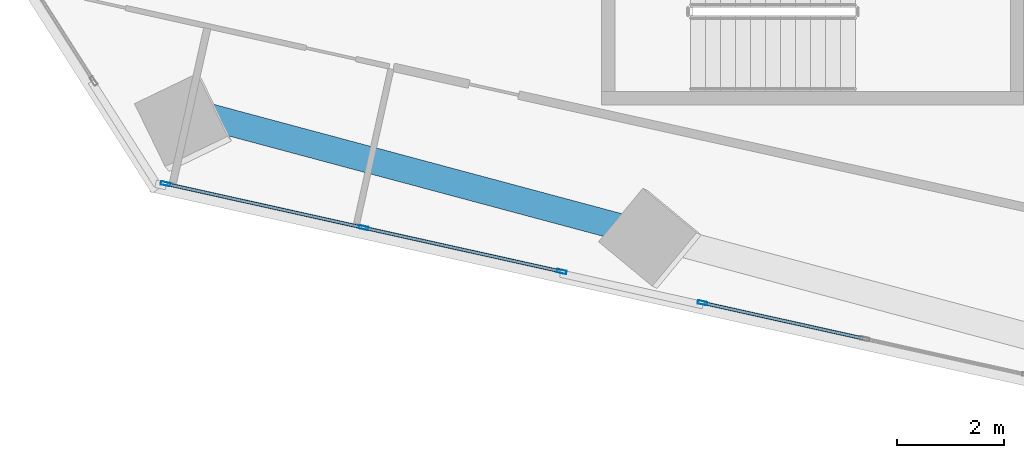
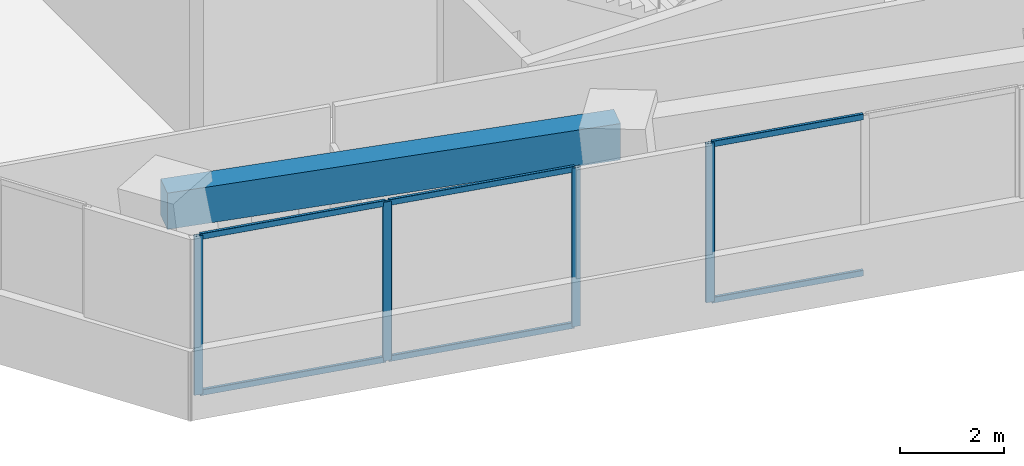
# One storey, part 2 of 26: 10 members, 1 beam, 2 elements without a shape of their own.
"""IFC4 building model written with IfcOpenShell, lengths in metres."""

from ifc_helpers import new_model, si_unit, direction, frame, origin, origin_2d, place, context, subcontext, project, spatial, rectangle, hollow_rectangle, extrude, source, transform, mapped, material, material_profile, profile_set, type_object, element, aggregate, save


model = new_model("IFC4")

# Units and contexts
model_context = context("Model", 3, precision=1e-05, world=origin(), true_north=direction((0.0, 1.0)))
body_context = subcontext(model_context, "Body", "Model", "MODEL_VIEW")
ifc_project = project(units=[si_unit("LENGTHUNIT", "METRE"), si_unit("AREAUNIT", "SQUARE_METRE"), si_unit("VOLUMEUNIT", "CUBIC_METRE"), si_unit("PLANEANGLEUNIT", "RADIAN"), si_unit("MASSUNIT", "GRAM", prefix="KILO")], contexts=[model_context])

# Site, building, storey
site_placement = place(None, origin())
site = spatial("IfcSite", under=ifc_project, at=site_placement, CompositionType="ELEMENT")
building_placement = place(site_placement, origin())
building = spatial("IfcBuilding", under=site, at=building_placement, Name="Torre Montelarca", CompositionType="ELEMENT")
storey_placement = place(building_placement, frame((0.0, 0.0, 95.800048828125)))
storey = spatial("IfcBuildingStorey", under=building, at=storey_placement, Name="L21", CompositionType="ELEMENT", Elevation=95.800048828125)

# Beam
ifc_material_1 = material(Name="Concrete C55/67", Category="concrete")
ifc_material_profile_1 = material_profile(ifc_material_1, rectangle(XDim=0.5, YDim=0.85009765625, at=origin_2d()), Name="RCB500X850", Category="concrete")
ifc_profile_set_1 = profile_set([ifc_material_profile_1], Name="Concrete C55/67")
beam_type = type_object("IfcBeamType", Name="BM-SP-RC850-EXT", PredefinedType="SPANDREL", material=ifc_profile_set_1)
shared_shape_1 = source(origin(), body_context, "Body", "SweptSolid", [
    extrude(rectangle(XDim=0.5, YDim=0.85009765625, at=origin_2d()), origin(), (0.0, 0.0, 1.0), 9.0),
])
beam_placement = place(storey_placement, frame((4.97412109375, 18.621337890625, 3.534912109375), z_axis=(0.965926740751, -0.25881563226, 0.0), x_axis=(0.25881563226, 0.965926740751, 0.0)))
element("IfcBeam", 1, at=beam_placement, inside=storey, type_object=beam_type, Name="L21 Grid Girder X 9.0-18.0 at Y=14.8", PredefinedType="SPANDREL", context=body_context, shape_type="MappedRepresentation", body=[
    mapped(shared_shape_1, transform((0.0, 0.0, 0.0), scale=1.0)),
])

# Curtain wall, members
ifc_material_2 = material(Name="Insulated low-E laminated glass", Category="glass")
curtain_wall_type = type_object("IfcCurtainWallType", Name="CW-SYS-Z1", PredefinedType="USERDEFINED", material=ifc_material_2)
curtain_wall_1_placement = place(storey_placement, origin())
curtain_wall_1 = element("IfcCurtainWall", 2, at=curtain_wall_1_placement, inside=storey, type_object=curtain_wall_type, Name="L21 Curtain Wall Run CW-T3-L21-E01-B1", ObjectType="UNITISED GLAZING", PredefinedType="USERDEFINED")
ifc_material_3 = material(Name="Anodised aluminium AA 6063-T6", Category="aluminium")
ifc_material_profile_2 = material_profile(ifc_material_3, hollow_rectangle(XDim=0.06494140625, YDim=0.139892578125, WallThickness=0.00390625, InnerFilletRadius=0.00390625, OuterFilletRadius=0.008056640625, at=origin_2d()), Name="ALU65X140X4", Category="aluminium")
ifc_profile_set_2 = profile_set([ifc_material_profile_2], Name="Anodised aluminium AA 6063-T6")
member_type_1 = type_object("IfcMemberType", Name="CWT-ALU140", PredefinedType="USERDEFINED", material=ifc_profile_set_2)
shared_shape_2 = source(origin(), body_context, "Body", "SweptSolid", [
    extrude(hollow_rectangle(XDim=0.06494140625, YDim=0.139892578125, WallThickness=0.00390625, InnerFilletRadius=0.00390625, OuterFilletRadius=0.008056640625, at=origin_2d()), origin(), (0.0, 0.0, 1.0), 3.731201171875),
])
member_1_placement = place(storey_placement, frame((8.63330078125, 16.34375, 0.032470703125), z_axis=(0.976294708292, -0.21644547249, 0.0), x_axis=(0.21644547249, 0.976294708292, 0.0)))
member_1 = element("IfcMember", 3, at=member_1_placement, type_object=member_type_1, Name="CW transom 2.1", ObjectType="TRANSOM", PredefinedType="USERDEFINED", context=body_context, shape_type="MappedRepresentation", body=[
    mapped(shared_shape_2, transform((0.0, 0.0, 0.0), scale=1.0)),
])
member_2_placement = place(storey_placement, frame((8.63330078125, 16.34375, 3.6875), z_axis=(0.976294708292, -0.21644547249, 0.0), x_axis=(0.21644547249, 0.976294708292, 0.0)))
member_2 = element("IfcMember", 4, at=member_2_placement, type_object=member_type_1, Name="CW transom 2.2", ObjectType="TRANSOM", PredefinedType="USERDEFINED", context=body_context, shape_type="MappedRepresentation", body=[
    mapped(shared_shape_2, transform((0.0, 0.0, 0.0), scale=1.0)),
])

curtain_wall_2_placement = place(storey_placement, origin())
curtain_wall_2 = element("IfcCurtainWall", 5, at=curtain_wall_2_placement, inside=storey, type_object=curtain_wall_type, Name="L21 Curtain Wall Run CW-T3-L21-E01-B2", ObjectType="UNITISED GLAZING", PredefinedType="USERDEFINED")
shared_shape_3 = source(origin(), body_context, "Body", "SweptSolid", [
    extrude(hollow_rectangle(XDim=0.06494140625, YDim=0.139892578125, WallThickness=0.00390625, InnerFilletRadius=0.00390625, OuterFilletRadius=0.008056640625, at=origin_2d()), origin(), (0.0, 0.0, 1.0), 3.04443359375),
])
member_3_placement = place(storey_placement, frame((14.97314453125, 14.938232421875, 0.032470703125), z_axis=(0.976294495908, -0.216446430463, 0.0), x_axis=(0.216446430463, 0.976294495908, 0.0)))
member_3 = element("IfcMember", 6, at=member_3_placement, type_object=member_type_1, Name="CW transom 1.1", ObjectType="TRANSOM", PredefinedType="USERDEFINED", context=body_context, shape_type="MappedRepresentation", body=[
    mapped(shared_shape_3, transform((0.0, 0.0, 0.0), scale=1.0)),
])
member_4_placement = place(storey_placement, frame((14.97314453125, 14.938232421875, 3.6875), z_axis=(0.976294495908, -0.216446430463, 0.0), x_axis=(0.216446430463, 0.976294495908, 0.0)))
member_4 = element("IfcMember", 7, at=member_4_placement, type_object=member_type_1, Name="CW transom 1.2", ObjectType="TRANSOM", PredefinedType="USERDEFINED", context=body_context, shape_type="MappedRepresentation", body=[
    mapped(shared_shape_3, transform((0.0, 0.0, 0.0), scale=1.0)),
])

# Member
ifc_material_profile_3 = material_profile(ifc_material_3, hollow_rectangle(XDim=0.06494140625, YDim=0.179931640625, WallThickness=0.00390625, InnerFilletRadius=0.00390625, OuterFilletRadius=0.008056640625, at=origin_2d()), Name="ALU65X180X4", Category="aluminium")
ifc_profile_set_3 = profile_set([ifc_material_profile_3], Name="Anodised aluminium AA 6063-T6")
member_type_2 = type_object("IfcMemberType", Name="CWM-ALU180", PredefinedType="MULLION", material=ifc_profile_set_3)
shared_shape_4 = source(origin(), body_context, "Body", "SweptSolid", [
    extrude(hollow_rectangle(XDim=0.06494140625, YDim=0.179931640625, WallThickness=0.00390625, InnerFilletRadius=0.00390625, OuterFilletRadius=0.008056640625, at=origin_2d()), origin(), (0.0, 0.0, 1.0), 3.719970703125),
])
member_5_placement = place(storey_placement, frame((4.8955078125, 17.17236328125, 0.0), z_axis=(0.0, 0.0, 1.0), x_axis=(0.216446465224, 0.976294488201, 0.0)))
member_5 = element("IfcMember", 8, at=member_5_placement, type_object=member_type_2, Name="CW mullion 1", PredefinedType="MULLION", context=body_context, shape_type="MappedRepresentation", body=[
    mapped(shared_shape_4, transform((0.0, 0.0, 0.0), scale=1.0)),
])

member_6_placement = place(storey_placement, frame((8.6015625, 16.350830078125, 0.0), z_axis=(0.0, 0.0, 1.0), x_axis=(0.216446465224, 0.976294488201, 0.0)))
member_6 = element("IfcMember", 9, at=member_6_placement, type_object=member_type_2, Name="CW mullion 2", PredefinedType="MULLION", context=body_context, shape_type="MappedRepresentation", body=[
    mapped(shared_shape_4, transform((0.0, 0.0, 0.0), scale=1.0)),
])

member_7_placement = place(storey_placement, frame((12.307861328125, 15.529052734375, 0.0), z_axis=(0.0, 0.0, 1.0), x_axis=(0.216446465224, 0.976294488201, 0.0)))
member_7 = element("IfcMember", 10, at=member_7_placement, type_object=member_type_2, Name="CW mullion 3", PredefinedType="MULLION", context=body_context, shape_type="MappedRepresentation", body=[
    mapped(shared_shape_4, transform((0.0, 0.0, 0.0), scale=1.0)),
])

member_8_placement = place(storey_placement, frame((14.94140625, 14.9453125, 0.0), z_axis=(0.0, 0.0, 1.0), x_axis=(0.216428300478, 0.976298515185, 0.0)))
member_8 = element("IfcMember", 11, at=member_8_placement, type_object=member_type_2, Name="CW mullion 1", PredefinedType="MULLION", context=body_context, shape_type="MappedRepresentation", body=[
    mapped(shared_shape_4, transform((0.0, 0.0, 0.0), scale=1.0)),
])

aggregate(curtain_wall_2, [member_8, member_3, member_4])

shared_shape_5 = source(origin(), body_context, "Body", "SweptSolid", [
    extrude(hollow_rectangle(XDim=0.06494140625, YDim=0.139892578125, WallThickness=0.00390625, InnerFilletRadius=0.00390625, OuterFilletRadius=0.008056640625, at=origin_2d()), origin(), (0.0, 0.0, 1.0), 3.73095703125),
])
member_9_placement = place(storey_placement, frame((4.92724609375, 17.16552734375, 0.032470703125), z_axis=(0.976291642648, -0.216459299858, 0.0), x_axis=(0.216459299858, 0.976291642648, 0.0)))
member_9 = element("IfcMember", 12, at=member_9_placement, type_object=member_type_1, Name="CW transom 1.1", ObjectType="TRANSOM", PredefinedType="USERDEFINED", context=body_context, shape_type="MappedRepresentation", body=[
    mapped(shared_shape_5, transform((0.0, 0.0, 0.0), scale=1.0)),
])

member_10_placement = place(storey_placement, frame((4.92724609375, 17.16552734375, 3.6875), z_axis=(0.976291642648, -0.216459299858, 0.0), x_axis=(0.216459299858, 0.976291642648, 0.0)))
member_10 = element("IfcMember", 13, at=member_10_placement, type_object=member_type_1, Name="CW transom 1.2", ObjectType="TRANSOM", PredefinedType="USERDEFINED", context=body_context, shape_type="MappedRepresentation", body=[
    mapped(shared_shape_5, transform((0.0, 0.0, 0.0), scale=1.0)),
])

aggregate(curtain_wall_1, [member_5, member_6, member_7, member_9, member_10, member_1, member_2])

save(model, "model.ifc")
